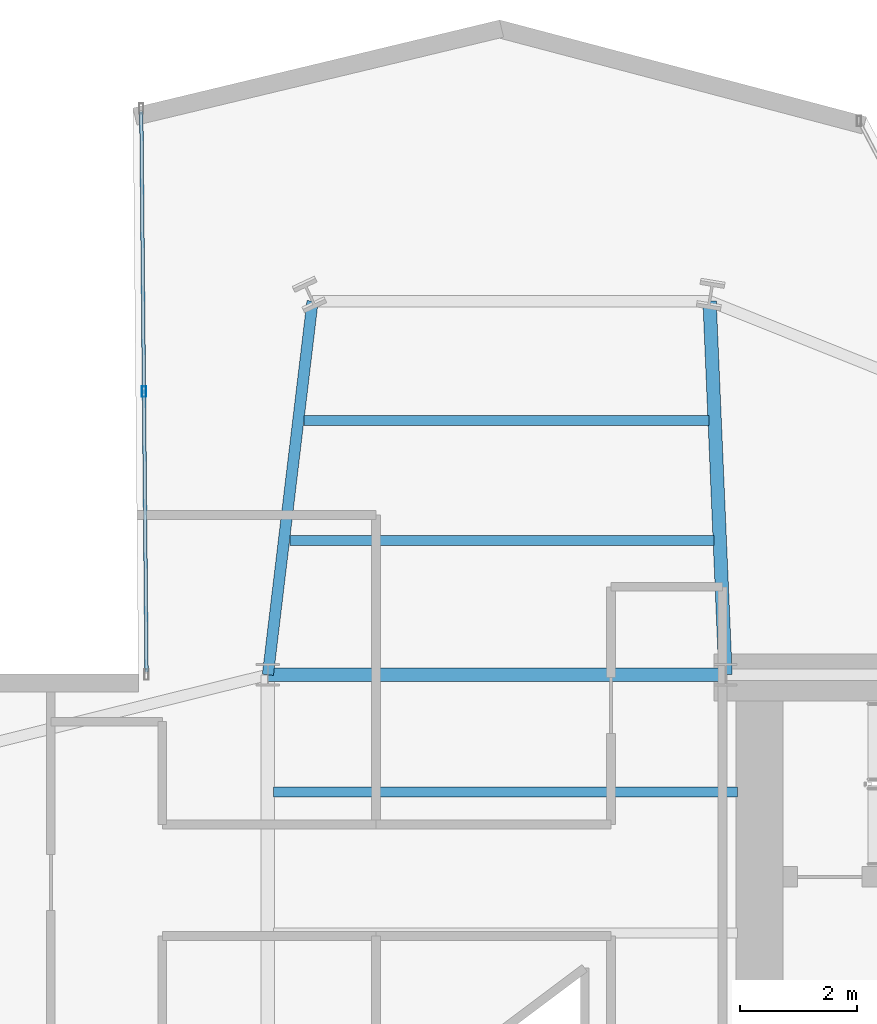
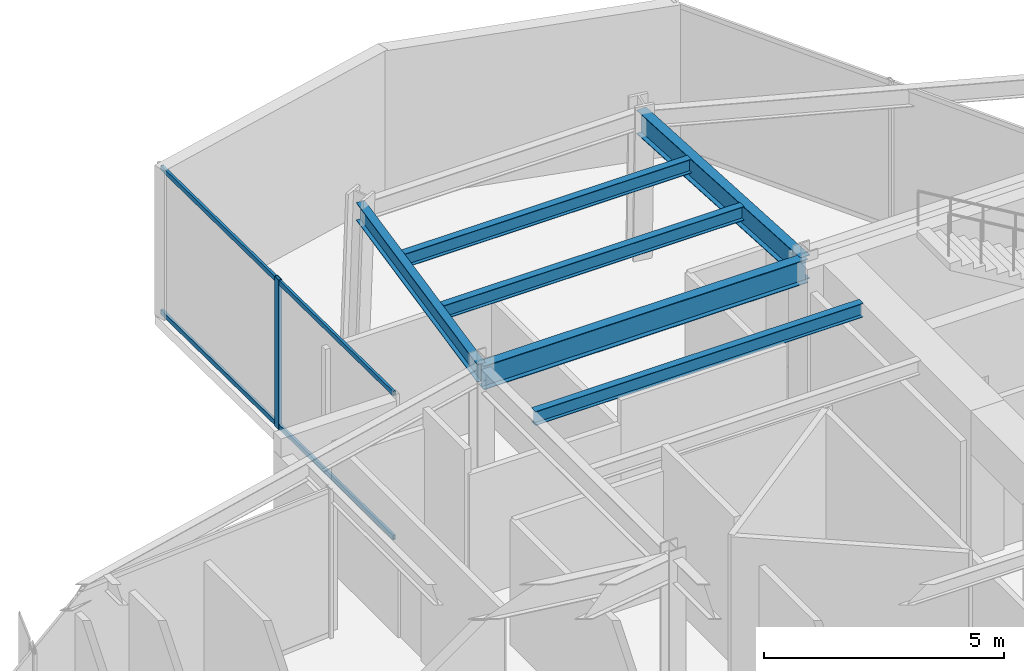
# One storey, part 11 of 25: 6 beams, 3 members, 1 element without a shape of its own.
"""IFC4 building model written with IfcOpenShell, lengths in metres."""

from ifc_helpers import new_model, si_unit, direction, frame, origin, origin_2d, place, context, subcontext, project, spatial, hollow_rectangle, i_section, extrude, material, layer, layer_set, material_profile, profile_set, type_object, element, aggregate, save


model = new_model("IFC4")

# Units and contexts
model_context = context("Model", 3, precision=1e-05, world=origin(), true_north=direction((0.0, 1.0)))
body_context = subcontext(model_context, "Body", "Model", "MODEL_VIEW")
ifc_project = project(units=[si_unit("LENGTHUNIT", "METRE"), si_unit("AREAUNIT", "SQUARE_METRE"), si_unit("VOLUMEUNIT", "CUBIC_METRE"), si_unit("PLANEANGLEUNIT", "RADIAN"), si_unit("MASSUNIT", "GRAM", prefix="KILO")], contexts=[model_context])

# Site, building, storey
site_placement = place(None, origin())
site = spatial("IfcSite", under=ifc_project, at=site_placement, CompositionType="ELEMENT")
building_placement = place(site_placement, origin())
building = spatial("IfcBuilding", under=site, at=building_placement, Name="Veymaron Broadcast Tower", CompositionType="ELEMENT")
storey_placement = place(building_placement, frame((0.0, 0.0, 149.25)))
storey = spatial("IfcBuildingStorey", under=building, at=storey_placement, Name="L34", CompositionType="ELEMENT", Elevation=149.25)

# Beams
ifc_material_1 = material(Name="Structural steel ASTM A992 Gr 50", Category="steel")
ifc_material_profile_1 = material_profile(ifc_material_1, i_section(OverallWidth=0.22802734375, OverallDepth=0.60791015625, WebThickness=0.01123046875, FlangeThickness=0.017333984375, at=origin_2d()), Name="W610X113")
ifc_profile_set_1 = profile_set([ifc_material_profile_1], Name="Structural steel ASTM A992 Gr 50")
beam_type_1 = type_object("IfcBeamType", Name="BM-FG2", PredefinedType="BEAM", material=ifc_profile_set_1)
beam_1_placement = place(storey_placement, frame((31.199951171875, 32.0, 3.506103515625), z_axis=(1.0, 0.0, 0.0), x_axis=(0.0, 1.0, 0.0)))
element("IfcBeam", 1, at=beam_1_placement, inside=storey, type_object=beam_type_1, Name="L34 primary structural floor girder", PredefinedType="BEAM", context=body_context, shape_type="SweptSolid", body=[
    extrude(i_section(OverallWidth=0.22802734375, OverallDepth=0.60791015625, WebThickness=0.01123046875, FlangeThickness=0.017333984375, at=origin_2d()), origin(), (0.0, 0.0, 1.0), 7.800048828125),
])
beam_2_placement = place(storey_placement, frame((39.0, 32.0, 3.506103515625), z_axis=(-0.04267091012, 0.99908918192, 0.0), x_axis=(-0.99908918192, -0.04267091012, 0.0)))
element("IfcBeam", 2, at=beam_2_placement, inside=storey, type_object=beam_type_1, Name="L34 primary structural floor girder", PredefinedType="BEAM", context=body_context, shape_type="SweptSolid", body=[
    extrude(i_section(OverallWidth=0.22802734375, OverallDepth=0.60791015625, WebThickness=0.01123046875, FlangeThickness=0.017333984375, at=origin_2d()), origin(), (0.0, 0.0, 1.0), 6.373779296875),
])
ifc_material_profile_2 = material_profile(ifc_material_1, i_section(OverallWidth=0.1708984375, OverallDepth=0.35498046875, WebThickness=0.007080078125, FlangeThickness=0.01171875, at=origin_2d()), Name="W360X51")
ifc_profile_set_2 = profile_set([ifc_material_profile_2], Name="Structural steel ASTM A992 Gr 50")
beam_type_2 = type_object("IfcBeamType", Name="BM-JS2", PredefinedType="JOIST", material=ifc_profile_set_2)
beam_3_placement = place(storey_placement, frame((31.57421875, 34.29248046875, 3.632568359375), z_axis=(1.0, 0.0, 0.0), x_axis=(0.0, 1.0, 0.0)))
element("IfcBeam", 3, at=beam_3_placement, inside=storey, type_object=beam_type_2, Name="L34 Arm-B secondary joist 1", PredefinedType="JOIST", context=body_context, shape_type="SweptSolid", body=[
    extrude(i_section(OverallWidth=0.1708984375, OverallDepth=0.35498046875, WebThickness=0.007080078125, FlangeThickness=0.01171875, at=origin_2d()), origin(), (0.0, 0.0, 1.0), 7.227783203125),
])
beam_4_placement = place(storey_placement, frame((31.81787109375, 36.330078125, 3.632568359375), z_axis=(1.0, 0.0, 0.0), x_axis=(0.0, 1.0, 0.0)))
element("IfcBeam", 4, at=beam_4_placement, inside=storey, type_object=beam_type_2, Name="L34 Arm-B secondary joist 2", PredefinedType="JOIST", context=body_context, shape_type="SweptSolid", body=[
    extrude(i_section(OverallWidth=0.1708984375, OverallDepth=0.35498046875, WebThickness=0.007080078125, FlangeThickness=0.01171875, at=origin_2d()), origin(), (0.0, 0.0, 1.0), 6.897216796875),
])
beam_5_placement = place(storey_placement, frame((31.300048828125, 30.0, 3.632568359375), z_axis=(1.0, 0.0, 0.0), x_axis=(0.0, 1.0, 0.0)))
element("IfcBeam", 5, at=beam_5_placement, inside=storey, type_object=beam_type_2, Name="L34 Hub secondary joist 4", PredefinedType="JOIST", context=body_context, shape_type="SweptSolid", body=[
    extrude(i_section(OverallWidth=0.1708984375, OverallDepth=0.35498046875, WebThickness=0.007080078125, FlangeThickness=0.01171875, at=origin_2d()), origin(), (0.0, 0.0, 1.0), 7.89990234375),
])
ifc_material_profile_3 = material_profile(ifc_material_1, i_section(OverallWidth=0.19091796875, OverallDepth=0.4599609375, WebThickness=0.010009765625, FlangeThickness=0.01611328125, at=origin_2d()), Name="W460X82")
ifc_profile_set_3 = profile_set([ifc_material_profile_3], Name="Structural steel ASTM A992 Gr 50")
beam_type_3 = type_object("IfcBeamType", Name="BM-SP1", PredefinedType="SPANDREL", material=ifc_profile_set_3)
beam_6_placement = place(storey_placement, frame((31.199951171875, 32.0, 3.580078125), z_axis=(0.118771439522, 0.992921620851, 0.0), x_axis=(-0.992921620851, 0.118771439522, 0.0)))
element("IfcBeam", 6, at=beam_6_placement, inside=storey, type_object=beam_type_3, Name="L34 primary structural floor girder", PredefinedType="SPANDREL", context=body_context, shape_type="SweptSolid", body=[
    extrude(i_section(OverallWidth=0.19091796875, OverallDepth=0.4599609375, WebThickness=0.010009765625, FlangeThickness=0.01611328125, at=origin_2d()), origin(), (0.0, 0.0, 1.0), 6.413330078125),
])

# Curtain wall, members
ifc_material_2 = material(Name="Anodised aluminium AA 6063-T6 and laminated low-E dark glass", Category="aluminium")
ifc_layer = layer(ifc_material_2, 0.179931640625)
ifc_layer_set = layer_set([ifc_layer], Name="Anodised aluminium AA 6063-T6 and laminated low-E dark glass")
curtain_wall_type = type_object("IfcCurtainWallType", Name="CW-SYS-03", PredefinedType="NOTDEFINED", material=ifc_layer_set)
curtain_wall_placement = place(storey_placement, origin())
curtain_wall = element("IfcCurtainWall", 7, at=curtain_wall_placement, inside=storey, type_object=curtain_wall_type, Name="L34 dark-glass curtain wall CW-L34-E8-1", PredefinedType="NOTDEFINED")
ifc_material_3 = material(Name="Anodised aluminium AA 6063-T6", Category="aluminium")
ifc_material_profile_4 = material_profile(ifc_material_3, hollow_rectangle(XDim=0.074951171875, YDim=0.179931640625, WallThickness=0.0048828125, at=origin_2d()), Name="AL180X75X5")
ifc_profile_set_4 = profile_set([ifc_material_profile_4], Name="Anodised aluminium AA 6063-T6")
member_type_1 = type_object("IfcMemberType", Name="CW-MUL-02", PredefinedType="MULLION", material=ifc_profile_set_4)
member_1_placement = place(storey_placement, frame((29.08740234375, 36.826416015625, 0.0), z_axis=(0.0, 0.0, 1.0), x_axis=(1.0, 0.0, 0.0)))
member_1 = element("IfcMember", 8, at=member_1_placement, type_object=member_type_1, Name="CW-L34-E8-1 mullion 1", PredefinedType="MULLION", context=body_context, shape_type="SweptSolid", body=[
    extrude(hollow_rectangle(XDim=0.074951171875, YDim=0.179931640625, WallThickness=0.0048828125, at=origin_2d()), origin(), (0.0, 0.0, 1.0), 3.81005859375),
])
ifc_material_profile_5 = material_profile(ifc_material_3, hollow_rectangle(XDim=0.06005859375, YDim=0.1201171875, WallThickness=0.00390625, at=origin_2d()), Name="AL120X60X4")
ifc_profile_set_5 = profile_set([ifc_material_profile_5], Name="Anodised aluminium AA 6063-T6")
member_type_2 = type_object("IfcMemberType", Name="CW-TRN-02", PredefinedType="USERDEFINED", material=ifc_profile_set_5)
member_2_placement = place(storey_placement, frame((29.042724609375, 41.601318359375, 0.070068359375), z_axis=(0.009356136215, -0.9999562304, 0.0), x_axis=(0.9999562304, 0.009356136215, 0.0)))
member_2 = element("IfcMember", 9, at=member_2_placement, type_object=member_type_2, Name="CW-L34-E8-1 transom B", ObjectType="TRANSOM", PredefinedType="USERDEFINED", context=body_context, shape_type="SweptSolid", body=[
    extrude(hollow_rectangle(XDim=0.06005859375, YDim=0.1201171875, WallThickness=0.00390625, at=origin_2d()), origin(), (0.0, 0.0, 1.0), 9.550537109375),
])
member_3_placement = place(storey_placement, frame((29.042724609375, 41.601318359375, 3.739990234375), z_axis=(0.009356136215, -0.9999562304, 0.0), x_axis=(0.9999562304, 0.009356136215, 0.0)))
member_3 = element("IfcMember", 10, at=member_3_placement, type_object=member_type_2, Name="CW-L34-E8-1 transom T", ObjectType="TRANSOM", PredefinedType="USERDEFINED", context=body_context, shape_type="SweptSolid", body=[
    extrude(hollow_rectangle(XDim=0.06005859375, YDim=0.1201171875, WallThickness=0.00390625, at=origin_2d()), origin(), (0.0, 0.0, 1.0), 9.550537109375),
])
aggregate(curtain_wall, [member_1, member_2, member_3])

save(model, "model.ifc")
